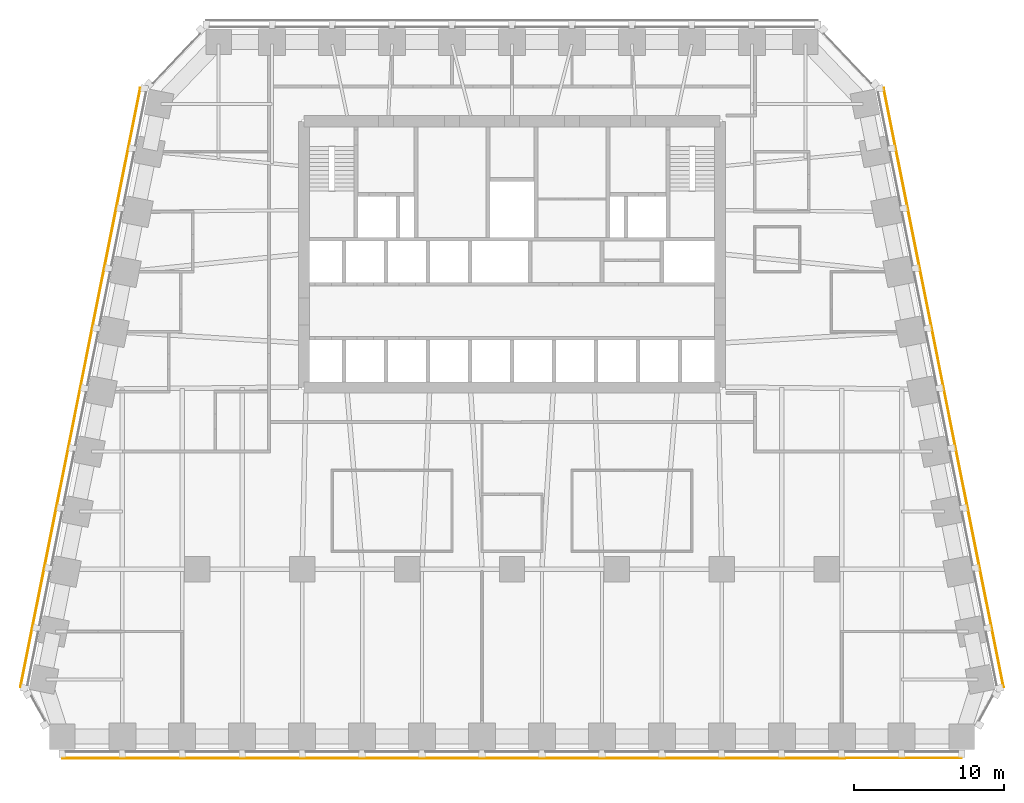
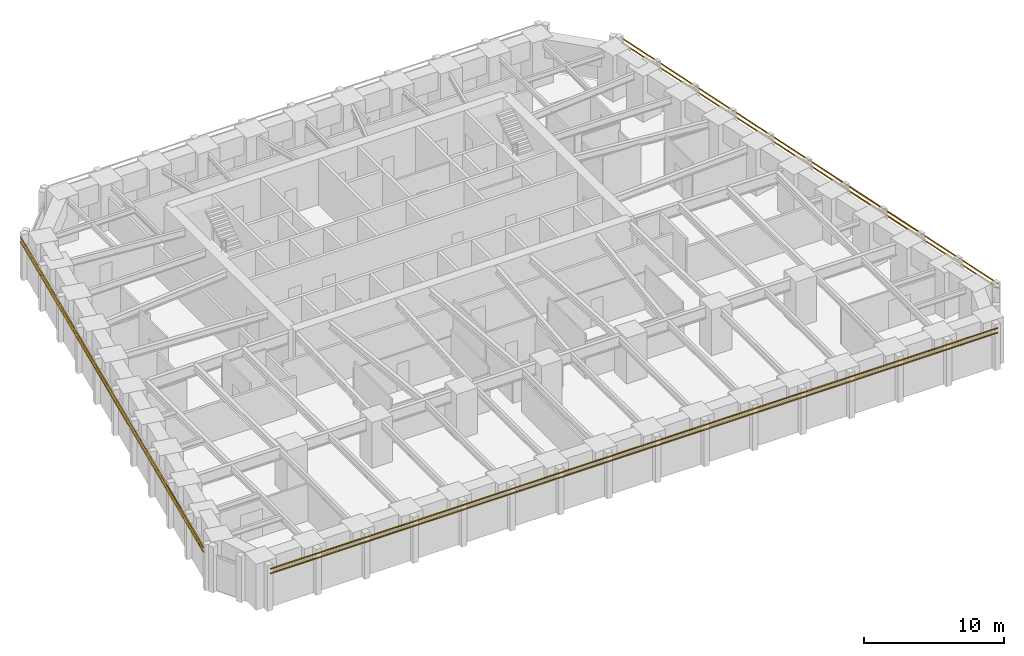
# One storey, part 9 of 10: 6 shading devices.
"""IFC4 building model written with IfcOpenShell, lengths in metres."""

from ifc_helpers import new_model, si_unit, direction, frame, origin, origin_2d, place, context, subcontext, project, spatial, rectangle, extrude, material, material_profile, profile_set, type_object, element, save


model = new_model("IFC4")

# Units and contexts
model_context = context("Model", 3, precision=1e-05, world=origin(), true_north=direction((0.0, 1.0)))
body_context = subcontext(model_context, "Body", "Model", "MODEL_VIEW")
ifc_project = project(units=[si_unit("LENGTHUNIT", "METRE"), si_unit("AREAUNIT", "SQUARE_METRE"), si_unit("VOLUMEUNIT", "CUBIC_METRE"), si_unit("PLANEANGLEUNIT", "RADIAN"), si_unit("MASSUNIT", "GRAM", prefix="KILO")], contexts=[model_context])

# Site, building, storey
site_placement = place(None, origin())
site = spatial("IfcSite", under=ifc_project, at=site_placement, CompositionType="ELEMENT")
building_placement = place(site_placement, origin())
building = spatial("IfcBuilding", under=site, at=building_placement, Name="Isbrekke Arena Tower", CompositionType="ELEMENT")
storey_placement = place(building_placement, frame((0.0, 0.0, 123.0)))
storey = spatial("IfcBuildingStorey", under=building, at=storey_placement, Name="L27", CompositionType="ELEMENT", Elevation=123.0)

# Shading devices
ifc_material = material(Name="Terracotta", Category="masonry")
ifc_material_profile = material_profile(ifc_material, rectangle(XDim=0.06005859375, YDim=0.06005859375, at=origin_2d()), Name="BAGUETTE 60X60")
ifc_profile_set = profile_set([ifc_material_profile], Name="Terracotta")
shading_device_type = type_object("IfcShadingDeviceType", Name="BG1 TERRACOTTA BAGUETTE 60 x 60", PredefinedType="USERDEFINED", material=ifc_profile_set)
for number, where, z_axis, x_axis, name in (
    (1, (-30.0, -18.60498046875, 3.280029296875), (1.0, 0.0, 0.0), (0.0, 1.0, 0.0), "BG1 terracotta baguette S1 L27"),
    (2, (-30.0, -18.60498046875, 3.679931640625), (1.0, 0.0, 0.0), (0.0, 1.0, 0.0), "BG1 terracotta baguette S2 L27"),
):
    element("IfcShadingDevice", number, at=place(storey_placement, frame(where, z_axis=z_axis, x_axis=x_axis)), inside=storey, type_object=shading_device_type, Name=name, ObjectType="TERRACOTTA BAGUETTE", PredefinedType="USERDEFINED", context=body_context, shape_type="SweptSolid", body=[
        extrude(rectangle(XDim=0.06005859375, YDim=0.06005859375, at=origin_2d()), origin(), (0.0, 0.0, 1.0), 60.0),
    ])
for number, where, z_axis, x_axis, name in (
    (3, (32.793212890625, -13.88134765625, 3.280029296875), (-0.196116135138, 0.980580675691, 0.0), (-0.980580675691, -0.196116135138, 0.0), "BG1 terracotta baguette E1 L27"),
    (4, (32.793212890625, -13.88134765625, 3.679931640625), (-0.196116135138, 0.980580675691, 0.0), (-0.980580675691, -0.196116135138, 0.0), "BG1 terracotta baguette E2 L27"),
    (5, (-24.793212890625, 26.11865234375, 3.280029296875), (-0.196116135138, -0.980580675691, 0.0), (0.980580675691, -0.196116135138, 0.0), "BG1 terracotta baguette W1 L27"),
    (6, (-24.793212890625, 26.11865234375, 3.679931640625), (-0.196116135138, -0.980580675691, 0.0), (0.980580675691, -0.196116135138, 0.0), "BG1 terracotta baguette W2 L27"),
):
    element("IfcShadingDevice", number, at=place(storey_placement, frame(where, z_axis=z_axis, x_axis=x_axis)), inside=storey, type_object=shading_device_type, Name=name, ObjectType="TERRACOTTA BAGUETTE", PredefinedType="USERDEFINED", context=body_context, shape_type="SweptSolid", body=[
        extrude(rectangle(XDim=0.06005859375, YDim=0.06005859375, at=origin_2d()), origin(), (0.0, 0.0, 1.0), 40.792236328125),
    ])

save(model, "model.ifc")
